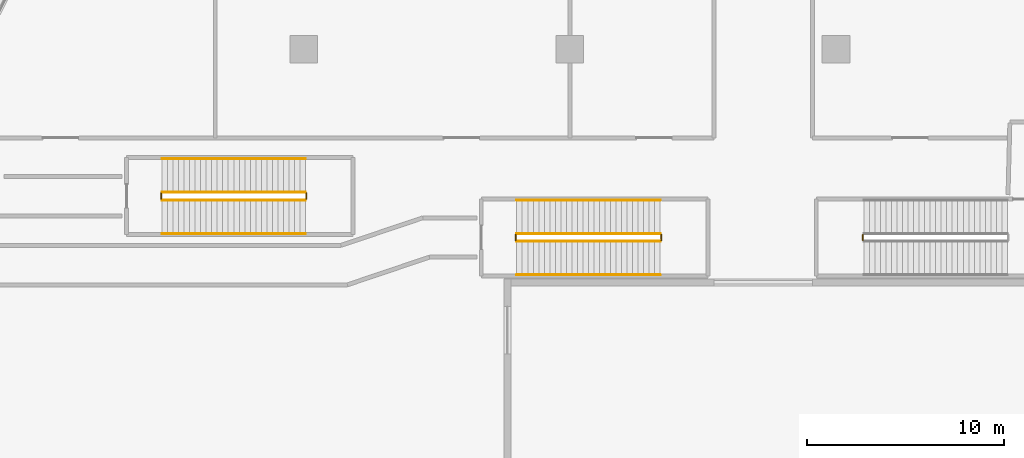
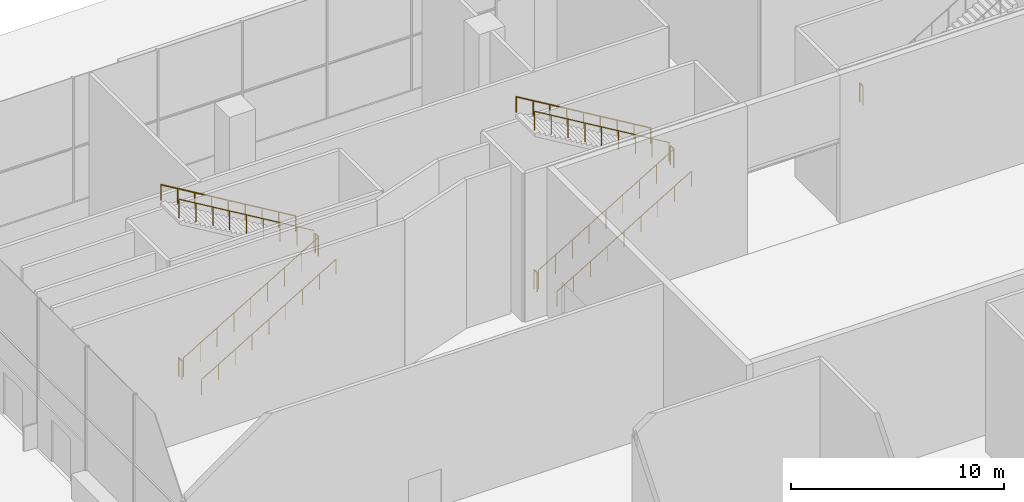
# One storey, part 47 of 54: 13 railings.
"""IFC4 building model written with IfcOpenShell, lengths in metres."""

from ifc_helpers import new_model, si_unit, direction, frame, origin, origin_2d, place, context, subcontext, project, spatial, circle, extrude, material, type_object, element, save


model = new_model("IFC4")

# Units and contexts
model_context = context("Model", 3, precision=1e-05, world=origin(), true_north=direction((0.0, 1.0)))
body_context = subcontext(model_context, "Body", "Model", "MODEL_VIEW")
ifc_project = project(units=[si_unit("LENGTHUNIT", "METRE"), si_unit("AREAUNIT", "SQUARE_METRE"), si_unit("VOLUMEUNIT", "CUBIC_METRE"), si_unit("PLANEANGLEUNIT", "RADIAN"), si_unit("MASSUNIT", "GRAM", prefix="KILO")], contexts=[model_context])

# Site, building, storey
site_placement = place(None, origin())
site = spatial("IfcSite", under=ifc_project, at=site_placement, CompositionType="ELEMENT")
building_placement = place(site_placement, origin())
building = spatial("IfcBuilding", under=site, at=building_placement, Name="Tamarind Cross Interchange Tower", CompositionType="ELEMENT")
storey_placement = place(building_placement, origin())
storey = spatial("IfcBuildingStorey", under=building, at=storey_placement, Name="L00", CompositionType="ELEMENT", Elevation=0.0)

# Railings
ifc_material_1 = material(Name="Public stair guard")
railing_type_1 = type_object("IfcRailingType", Name="Public stair guard", PredefinedType="GUARDRAIL", material=ifc_material_1)
railing_1_placement = place(storey_placement, frame((-43.199951171875, 44.25, 0.166748046875)))
element("IfcRailing", 1, at=railing_1_placement, inside=storey, type_object=railing_type_1, Name="L00 XS-P04 stair guard 1", PredefinedType="GUARDRAIL", context=body_context, shape_type="SweptSolid", body=[
    extrude(circle(Radius=0.02392578125, at=origin_2d()), frame((0.0, 0.0, 1.076171875), z_axis=(0.859298010897, 0.0, 0.511475247171), x_axis=(0.0, 1.0, 0.0)), (0.0, 0.0, 1.0), 8.47216796875),
    extrude(circle(Radius=0.02099609375, at=origin_2d()), origin(), (0.0, 0.0, 1.0), 1.052001953125),
    extrude(circle(Radius=0.02099609375, at=origin_2d()), frame((0.909912109375, 0.0, 0.541748046875)), (0.0, 0.0, 1.0), 1.052001953125),
    extrude(circle(Radius=0.02099609375, at=origin_2d()), frame((1.820068359375, 0.0, 1.083251953125)), (0.0, 0.0, 1.0), 1.052001953125),
    extrude(circle(Radius=0.02099609375, at=origin_2d()), frame((2.72998046875, 0.0, 1.625)), (0.0, 0.0, 1.0), 1.052001953125),
    extrude(circle(Radius=0.02099609375, at=origin_2d()), frame((3.64013671875, 0.0, 2.16650390625)), (0.0, 0.0, 1.0), 1.052001953125),
    extrude(circle(Radius=0.02099609375, at=origin_2d()), frame((4.550048828125, 0.0, 2.708251953125)), (0.0, 0.0, 1.0), 1.052001953125),
    extrude(circle(Radius=0.02099609375, at=origin_2d()), frame((5.4599609375, 0.0, 3.25)), (0.0, 0.0, 1.0), 1.052001953125),
    extrude(circle(Radius=0.02099609375, at=origin_2d()), frame((6.3701171875, 0.0, 3.79150390625)), (0.0, 0.0, 1.0), 1.052001953125),
    extrude(circle(Radius=0.02099609375, at=origin_2d()), frame((7.280029296875, 0.0, 4.333251953125)), (0.0, 0.0, 1.0), 1.052001953125),
])
railing_2_placement = place(storey_placement, frame((-35.8701171875, 44.300048828125, 4.5)))
element("IfcRailing", 2, at=railing_2_placement, inside=storey, type_object=railing_type_1, Name="L00 XS-P04 stair guard 2", PredefinedType="GUARDRAIL", context=body_context, shape_type="SweptSolid", body=[
    extrude(circle(Radius=0.02392578125, at=origin_2d()), frame((0.0, 0.0, 1.076171875), z_axis=(0.0, 1.0, 0.0), x_axis=(-1.0, 0.0, 0.0)), (0.0, 0.0, 1.0), 0.300048828125),
    extrude(circle(Radius=0.02099609375, at=origin_2d()), origin(), (0.0, 0.0, 1.0), 1.052001953125),
    extrude(circle(Radius=0.02099609375, at=origin_2d()), frame((0.0, 0.300048828125, 0.0)), (0.0, 0.0, 1.0), 1.052001953125),
])
railing_3_placement = place(storey_placement, frame((-35.919921875, 44.64990234375, 4.666748046875)))
element("IfcRailing", 3, at=railing_3_placement, inside=storey, type_object=railing_type_1, Name="L00 XS-P04 stair guard 3", PredefinedType="GUARDRAIL", context=body_context, shape_type="SweptSolid", body=[
    extrude(circle(Radius=0.02392578125, at=origin_2d()), frame((0.0, 0.0, 1.076171875), z_axis=(-0.859298010897, 0.0, 0.511475247171), x_axis=(0.0, -1.0, 0.0)), (0.0, 0.0, 1.0), 8.47216796875),
    extrude(circle(Radius=0.02099609375, at=origin_2d()), origin(), (0.0, 0.0, 1.0), 1.052001953125),
    extrude(circle(Radius=0.02099609375, at=origin_2d()), frame((-0.909912109375, 0.0, 0.541748046875)), (0.0, 0.0, 1.0), 1.052001953125),
    extrude(circle(Radius=0.02099609375, at=origin_2d()), frame((-1.820068359375, 0.0, 1.083251953125)), (0.0, 0.0, 1.0), 1.052001953125),
    extrude(circle(Radius=0.02099609375, at=origin_2d()), frame((-2.72998046875, 0.0, 1.625)), (0.0, 0.0, 1.0), 1.052001953125),
    extrude(circle(Radius=0.02099609375, at=origin_2d()), frame((-3.64013671875, 0.0, 2.16650390625)), (0.0, 0.0, 1.0), 1.052001953125),
    extrude(circle(Radius=0.02099609375, at=origin_2d()), frame((-4.550048828125, 0.0, 2.708251953125)), (0.0, 0.0, 1.0), 1.052001953125),
    extrude(circle(Radius=0.02099609375, at=origin_2d()), frame((-5.4599609375, 0.0, 3.25)), (0.0, 0.0, 1.0), 1.052001953125),
    extrude(circle(Radius=0.02099609375, at=origin_2d()), frame((-6.3701171875, 0.0, 3.79150390625)), (0.0, 0.0, 1.0), 1.052001953125),
    extrude(circle(Radius=0.02099609375, at=origin_2d()), frame((-7.280029296875, 0.0, 4.333251953125)), (0.0, 0.0, 1.0), 1.052001953125),
])
railing_4_placement = place(storey_placement, frame((-43.25, 44.300048828125, 0.0)))
element("IfcRailing", 4, at=railing_4_placement, inside=storey, type_object=railing_type_1, Name="L00 XS-P04 stair guard 4", PredefinedType="GUARDRAIL", context=body_context, shape_type="SweptSolid", body=[
    extrude(circle(Radius=0.02392578125, at=origin_2d()), frame((0.0, 0.0, 1.076171875), z_axis=(0.0, 1.0, 0.0), x_axis=(-1.0, 0.0, 0.0)), (0.0, 0.0, 1.0), 0.300048828125),
    extrude(circle(Radius=0.02099609375, at=origin_2d()), origin(), (0.0, 0.0, 1.0), 1.052001953125),
    extrude(circle(Radius=0.02099609375, at=origin_2d()), frame((0.0, 0.300048828125, 0.0)), (0.0, 0.0, 1.0), 1.052001953125),
])
railing_5_placement = place(storey_placement, frame((-61.199951171875, 46.35009765625, 0.166748046875)))
element("IfcRailing", 5, at=railing_5_placement, inside=storey, type_object=railing_type_1, Name="L00 XS-P05 stair guard 1", PredefinedType="GUARDRAIL", context=body_context, shape_type="SweptSolid", body=[
    extrude(circle(Radius=0.02392578125, at=origin_2d()), frame((0.0, 0.0, 1.076171875), z_axis=(0.859298010897, 0.0, 0.511475247171), x_axis=(0.0, 1.0, 0.0)), (0.0, 0.0, 1.0), 8.47216796875),
    extrude(circle(Radius=0.02099609375, at=origin_2d()), origin(), (0.0, 0.0, 1.0), 1.052001953125),
    extrude(circle(Radius=0.02099609375, at=origin_2d()), frame((0.909912109375, 0.0, 0.541748046875)), (0.0, 0.0, 1.0), 1.052001953125),
    extrude(circle(Radius=0.02099609375, at=origin_2d()), frame((1.820068359375, 0.0, 1.083251953125)), (0.0, 0.0, 1.0), 1.052001953125),
    extrude(circle(Radius=0.02099609375, at=origin_2d()), frame((2.72998046875, 0.0, 1.625)), (0.0, 0.0, 1.0), 1.052001953125),
    extrude(circle(Radius=0.02099609375, at=origin_2d()), frame((3.64013671875, 0.0, 2.16650390625)), (0.0, 0.0, 1.0), 1.052001953125),
    extrude(circle(Radius=0.02099609375, at=origin_2d()), frame((4.550048828125, 0.0, 2.708251953125)), (0.0, 0.0, 1.0), 1.052001953125),
    extrude(circle(Radius=0.02099609375, at=origin_2d()), frame((5.4599609375, 0.0, 3.25)), (0.0, 0.0, 1.0), 1.052001953125),
    extrude(circle(Radius=0.02099609375, at=origin_2d()), frame((6.3701171875, 0.0, 3.79150390625)), (0.0, 0.0, 1.0), 1.052001953125),
    extrude(circle(Radius=0.02099609375, at=origin_2d()), frame((7.280029296875, 0.0, 4.333251953125)), (0.0, 0.0, 1.0), 1.052001953125),
])
railing_6_placement = place(storey_placement, frame((-53.8701171875, 46.39990234375, 4.5)))
element("IfcRailing", 6, at=railing_6_placement, inside=storey, type_object=railing_type_1, Name="L00 XS-P05 stair guard 2", PredefinedType="GUARDRAIL", context=body_context, shape_type="SweptSolid", body=[
    extrude(circle(Radius=0.02392578125, at=origin_2d()), frame((0.0, 0.0, 1.076171875), z_axis=(0.0, 1.0, 0.0), x_axis=(-1.0, 0.0, 0.0)), (0.0, 0.0, 1.0), 0.300048828125),
    extrude(circle(Radius=0.02099609375, at=origin_2d()), origin(), (0.0, 0.0, 1.0), 1.052001953125),
    extrude(circle(Radius=0.02099609375, at=origin_2d()), frame((0.0, 0.300048828125, 0.0)), (0.0, 0.0, 1.0), 1.052001953125),
])
railing_7_placement = place(storey_placement, frame((-53.919921875, 46.75, 4.666748046875)))
element("IfcRailing", 7, at=railing_7_placement, inside=storey, type_object=railing_type_1, Name="L00 XS-P05 stair guard 3", PredefinedType="GUARDRAIL", context=body_context, shape_type="SweptSolid", body=[
    extrude(circle(Radius=0.02392578125, at=origin_2d()), frame((0.0, 0.0, 1.076171875), z_axis=(-0.859298010897, 0.0, 0.511475247171), x_axis=(0.0, -1.0, 0.0)), (0.0, 0.0, 1.0), 8.47216796875),
    extrude(circle(Radius=0.02099609375, at=origin_2d()), origin(), (0.0, 0.0, 1.0), 1.052001953125),
    extrude(circle(Radius=0.02099609375, at=origin_2d()), frame((-0.909912109375, 0.0, 0.541748046875)), (0.0, 0.0, 1.0), 1.052001953125),
    extrude(circle(Radius=0.02099609375, at=origin_2d()), frame((-1.820068359375, 0.0, 1.083251953125)), (0.0, 0.0, 1.0), 1.052001953125),
    extrude(circle(Radius=0.02099609375, at=origin_2d()), frame((-2.72998046875, 0.0, 1.625)), (0.0, 0.0, 1.0), 1.052001953125),
    extrude(circle(Radius=0.02099609375, at=origin_2d()), frame((-3.64013671875, 0.0, 2.16650390625)), (0.0, 0.0, 1.0), 1.052001953125),
    extrude(circle(Radius=0.02099609375, at=origin_2d()), frame((-4.550048828125, 0.0, 2.708251953125)), (0.0, 0.0, 1.0), 1.052001953125),
    extrude(circle(Radius=0.02099609375, at=origin_2d()), frame((-5.4599609375, 0.0, 3.25)), (0.0, 0.0, 1.0), 1.052001953125),
    extrude(circle(Radius=0.02099609375, at=origin_2d()), frame((-6.3701171875, 0.0, 3.79150390625)), (0.0, 0.0, 1.0), 1.052001953125),
    extrude(circle(Radius=0.02099609375, at=origin_2d()), frame((-7.280029296875, 0.0, 4.333251953125)), (0.0, 0.0, 1.0), 1.052001953125),
])
railing_8_placement = place(storey_placement, frame((-61.25, 46.39990234375, 0.0)))
element("IfcRailing", 8, at=railing_8_placement, inside=storey, type_object=railing_type_1, Name="L00 XS-P05 stair guard 4", PredefinedType="GUARDRAIL", context=body_context, shape_type="SweptSolid", body=[
    extrude(circle(Radius=0.02392578125, at=origin_2d()), frame((0.0, 0.0, 1.076171875), z_axis=(0.0, 1.0, 0.0), x_axis=(-1.0, 0.0, 0.0)), (0.0, 0.0, 1.0), 0.300048828125),
    extrude(circle(Radius=0.02099609375, at=origin_2d()), origin(), (0.0, 0.0, 1.0), 1.052001953125),
    extrude(circle(Radius=0.02099609375, at=origin_2d()), frame((0.0, 0.300048828125, 0.0)), (0.0, 0.0, 1.0), 1.052001953125),
])
railing_9_placement = place(storey_placement, frame((-25.6298828125, 44.60009765625, 4.5)))
element("IfcRailing", 9, at=railing_9_placement, inside=storey, type_object=railing_type_1, Name="L00 XS-P06 stair guard 2", PredefinedType="GUARDRAIL", context=body_context, shape_type="SweptSolid", body=[
    extrude(circle(Radius=0.02392578125, at=origin_2d()), frame((0.0, 0.0, 1.076171875), z_axis=(0.0, -1.0, 0.0), x_axis=(1.0, 0.0, 0.0)), (0.0, 0.0, 1.0), 0.300048828125),
    extrude(circle(Radius=0.02099609375, at=origin_2d()), origin(), (0.0, 0.0, 1.0), 1.052001953125),
    extrude(circle(Radius=0.02099609375, at=origin_2d()), frame((0.0, -0.300048828125, 0.0)), (0.0, 0.0, 1.0), 1.052001953125),
])
ifc_material_2 = material(Name="Public stair handrail")
railing_type_2 = type_object("IfcRailingType", Name="Public stair handrail", PredefinedType="HANDRAIL", material=ifc_material_2)
railing_10_placement = place(storey_placement, frame((-43.199951171875, 42.550048828125, 0.166748046875)))
element("IfcRailing", 10, at=railing_10_placement, inside=storey, type_object=railing_type_2, Name="L00 XS-P04 stair handrail 1", PredefinedType="HANDRAIL", context=body_context, shape_type="SweptSolid", body=[
    extrude(circle(Radius=0.02392578125, at=origin_2d()), frame((0.0, 0.0, 0.8759765625), z_axis=(0.859298010897, 0.0, 0.511475247171), x_axis=(0.0, 1.0, 0.0)), (0.0, 0.0, 1.0), 8.47216796875),
    extrude(circle(Radius=0.02099609375, at=origin_2d()), origin(), (0.0, 0.0, 1.0), 0.851806640625),
    extrude(circle(Radius=0.02099609375, at=origin_2d()), frame((0.909912109375, 0.0, 0.541748046875)), (0.0, 0.0, 1.0), 0.851806640625),
    extrude(circle(Radius=0.02099609375, at=origin_2d()), frame((1.820068359375, 0.0, 1.083251953125)), (0.0, 0.0, 1.0), 0.851806640625),
    extrude(circle(Radius=0.02099609375, at=origin_2d()), frame((2.72998046875, 0.0, 1.625)), (0.0, 0.0, 1.0), 0.851806640625),
    extrude(circle(Radius=0.02099609375, at=origin_2d()), frame((3.64013671875, 0.0, 2.16650390625)), (0.0, 0.0, 1.0), 0.851806640625),
    extrude(circle(Radius=0.02099609375, at=origin_2d()), frame((4.550048828125, 0.0, 2.708251953125)), (0.0, 0.0, 1.0), 0.851806640625),
    extrude(circle(Radius=0.02099609375, at=origin_2d()), frame((5.4599609375, 0.0, 3.25)), (0.0, 0.0, 1.0), 0.851806640625),
    extrude(circle(Radius=0.02099609375, at=origin_2d()), frame((6.3701171875, 0.0, 3.79150390625)), (0.0, 0.0, 1.0), 0.851806640625),
    extrude(circle(Radius=0.02099609375, at=origin_2d()), frame((7.280029296875, 0.0, 4.333251953125)), (0.0, 0.0, 1.0), 0.851806640625),
])
railing_11_placement = place(storey_placement, frame((-35.919921875, 46.35009765625, 4.666748046875)))
element("IfcRailing", 11, at=railing_11_placement, inside=storey, type_object=railing_type_2, Name="L00 XS-P04 stair handrail 2", PredefinedType="HANDRAIL", context=body_context, shape_type="SweptSolid", body=[
    extrude(circle(Radius=0.02392578125, at=origin_2d()), frame((0.0, 0.0, 0.8759765625), z_axis=(-0.859298010897, 0.0, 0.511475247171), x_axis=(0.0, -1.0, 0.0)), (0.0, 0.0, 1.0), 8.47216796875),
    extrude(circle(Radius=0.02099609375, at=origin_2d()), origin(), (0.0, 0.0, 1.0), 0.851806640625),
    extrude(circle(Radius=0.02099609375, at=origin_2d()), frame((-0.909912109375, 0.0, 0.541748046875)), (0.0, 0.0, 1.0), 0.851806640625),
    extrude(circle(Radius=0.02099609375, at=origin_2d()), frame((-1.820068359375, 0.0, 1.083251953125)), (0.0, 0.0, 1.0), 0.851806640625),
    extrude(circle(Radius=0.02099609375, at=origin_2d()), frame((-2.72998046875, 0.0, 1.625)), (0.0, 0.0, 1.0), 0.851806640625),
    extrude(circle(Radius=0.02099609375, at=origin_2d()), frame((-3.64013671875, 0.0, 2.16650390625)), (0.0, 0.0, 1.0), 0.851806640625),
    extrude(circle(Radius=0.02099609375, at=origin_2d()), frame((-4.550048828125, 0.0, 2.708251953125)), (0.0, 0.0, 1.0), 0.851806640625),
    extrude(circle(Radius=0.02099609375, at=origin_2d()), frame((-5.4599609375, 0.0, 3.25)), (0.0, 0.0, 1.0), 0.851806640625),
    extrude(circle(Radius=0.02099609375, at=origin_2d()), frame((-6.3701171875, 0.0, 3.79150390625)), (0.0, 0.0, 1.0), 0.851806640625),
    extrude(circle(Radius=0.02099609375, at=origin_2d()), frame((-7.280029296875, 0.0, 4.333251953125)), (0.0, 0.0, 1.0), 0.851806640625),
])
railing_12_placement = place(storey_placement, frame((-61.199951171875, 44.64990234375, 0.166748046875)))
element("IfcRailing", 12, at=railing_12_placement, inside=storey, type_object=railing_type_2, Name="L00 XS-P05 stair handrail 1", PredefinedType="HANDRAIL", context=body_context, shape_type="SweptSolid", body=[
    extrude(circle(Radius=0.02392578125, at=origin_2d()), frame((0.0, 0.0, 0.8759765625), z_axis=(0.859298010897, 0.0, 0.511475247171), x_axis=(0.0, 1.0, 0.0)), (0.0, 0.0, 1.0), 8.47216796875),
    extrude(circle(Radius=0.02099609375, at=origin_2d()), origin(), (0.0, 0.0, 1.0), 0.851806640625),
    extrude(circle(Radius=0.02099609375, at=origin_2d()), frame((0.909912109375, 0.0, 0.541748046875)), (0.0, 0.0, 1.0), 0.851806640625),
    extrude(circle(Radius=0.02099609375, at=origin_2d()), frame((1.820068359375, 0.0, 1.083251953125)), (0.0, 0.0, 1.0), 0.851806640625),
    extrude(circle(Radius=0.02099609375, at=origin_2d()), frame((2.72998046875, 0.0, 1.625)), (0.0, 0.0, 1.0), 0.851806640625),
    extrude(circle(Radius=0.02099609375, at=origin_2d()), frame((3.64013671875, 0.0, 2.16650390625)), (0.0, 0.0, 1.0), 0.851806640625),
    extrude(circle(Radius=0.02099609375, at=origin_2d()), frame((4.550048828125, 0.0, 2.708251953125)), (0.0, 0.0, 1.0), 0.851806640625),
    extrude(circle(Radius=0.02099609375, at=origin_2d()), frame((5.4599609375, 0.0, 3.25)), (0.0, 0.0, 1.0), 0.851806640625),
    extrude(circle(Radius=0.02099609375, at=origin_2d()), frame((6.3701171875, 0.0, 3.79150390625)), (0.0, 0.0, 1.0), 0.851806640625),
    extrude(circle(Radius=0.02099609375, at=origin_2d()), frame((7.280029296875, 0.0, 4.333251953125)), (0.0, 0.0, 1.0), 0.851806640625),
])
railing_13_placement = place(storey_placement, frame((-53.919921875, 48.449951171875, 4.666748046875)))
element("IfcRailing", 13, at=railing_13_placement, inside=storey, type_object=railing_type_2, Name="L00 XS-P05 stair handrail 2", PredefinedType="HANDRAIL", context=body_context, shape_type="SweptSolid", body=[
    extrude(circle(Radius=0.02392578125, at=origin_2d()), frame((0.0, 0.0, 0.8759765625), z_axis=(-0.859298010897, 0.0, 0.511475247171), x_axis=(0.0, -1.0, 0.0)), (0.0, 0.0, 1.0), 8.47216796875),
    extrude(circle(Radius=0.02099609375, at=origin_2d()), origin(), (0.0, 0.0, 1.0), 0.851806640625),
    extrude(circle(Radius=0.02099609375, at=origin_2d()), frame((-0.909912109375, 0.0, 0.541748046875)), (0.0, 0.0, 1.0), 0.851806640625),
    extrude(circle(Radius=0.02099609375, at=origin_2d()), frame((-1.820068359375, 0.0, 1.083251953125)), (0.0, 0.0, 1.0), 0.851806640625),
    extrude(circle(Radius=0.02099609375, at=origin_2d()), frame((-2.72998046875, 0.0, 1.625)), (0.0, 0.0, 1.0), 0.851806640625),
    extrude(circle(Radius=0.02099609375, at=origin_2d()), frame((-3.64013671875, 0.0, 2.16650390625)), (0.0, 0.0, 1.0), 0.851806640625),
    extrude(circle(Radius=0.02099609375, at=origin_2d()), frame((-4.550048828125, 0.0, 2.708251953125)), (0.0, 0.0, 1.0), 0.851806640625),
    extrude(circle(Radius=0.02099609375, at=origin_2d()), frame((-5.4599609375, 0.0, 3.25)), (0.0, 0.0, 1.0), 0.851806640625),
    extrude(circle(Radius=0.02099609375, at=origin_2d()), frame((-6.3701171875, 0.0, 3.79150390625)), (0.0, 0.0, 1.0), 0.851806640625),
    extrude(circle(Radius=0.02099609375, at=origin_2d()), frame((-7.280029296875, 0.0, 4.333251953125)), (0.0, 0.0, 1.0), 0.851806640625),
])

save(model, "model.ifc")
